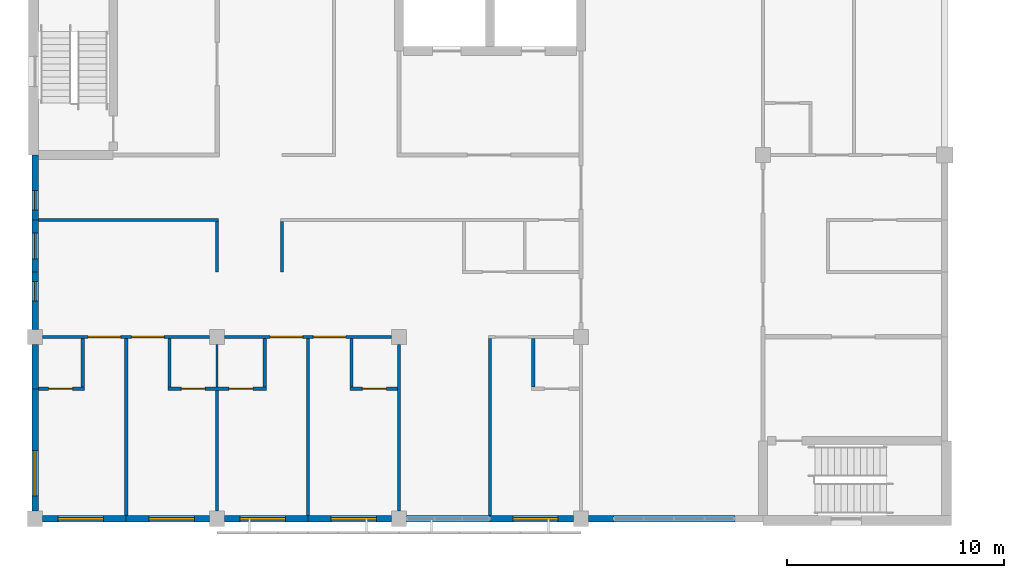
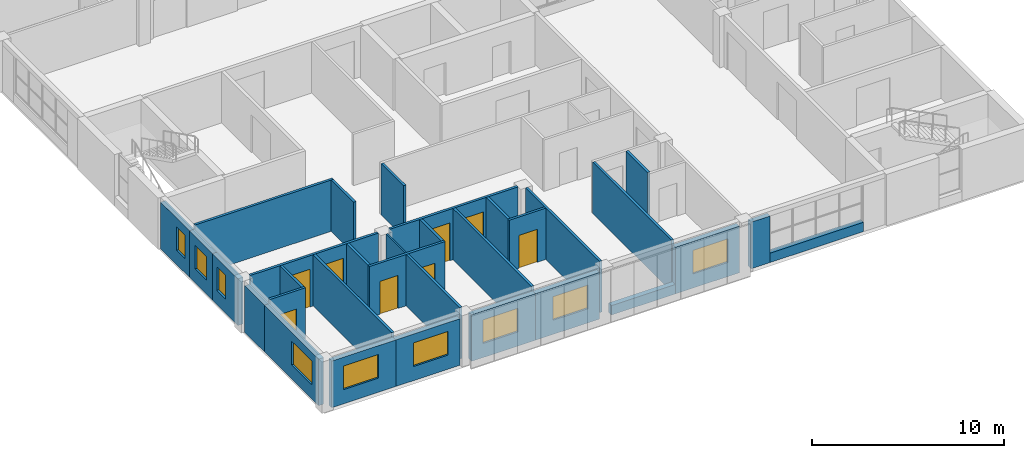
# One storey, part 24 of 46: 32 walls, 9 windows, 8 doors, 17 openings.
"""IFC4 building model written with IfcOpenShell, lengths in metres."""

from ifc_helpers import new_model, si_unit, direction, frame, frame_2d, origin, place, context, subcontext, project, spatial, rectangle, extrude, material, layer, layer_set, type_object, element, fill, save


model = new_model("IFC4")

# Units and contexts
model_context = context("Model", 3, precision=1e-05, world=origin(), true_north=direction((0.0, 1.0)))
body_context = subcontext(model_context, "Body", "Model", "MODEL_VIEW")
ifc_project = project(units=[si_unit("LENGTHUNIT", "METRE"), si_unit("AREAUNIT", "SQUARE_METRE"), si_unit("VOLUMEUNIT", "CUBIC_METRE"), si_unit("PLANEANGLEUNIT", "RADIAN"), si_unit("MASSUNIT", "GRAM", prefix="KILO")], contexts=[model_context])

# Site, building, storey
site_placement = place(None, origin())
site = spatial("IfcSite", under=ifc_project, at=site_placement, CompositionType="ELEMENT")
building_placement = place(site_placement, origin())
building = spatial("IfcBuilding", under=site, at=building_placement, Name="Yavir Park General Hospital", CompositionType="ELEMENT")
storey_placement = place(building_placement, frame((0.0, 0.0, 18.89990234375)))
storey = spatial("IfcBuildingStorey", under=building, at=storey_placement, Name="L04", CompositionType="ELEMENT", Elevation=18.89990234375)

# Wall
ifc_material_1 = material(Name="Gypsum board partition on steel studs", Category="steel")
ifc_layer_1 = layer(ifc_material_1, 0.10009765625)
ifc_layer_set_1 = layer_set([ifc_layer_1], Name="Gypsum board partition on steel studs")
wall_type_1 = type_object("IfcWallType", Name="Gypsum board partition 100", PredefinedType="PARTITIONING", material=ifc_layer_set_1)
wall_1_placement = place(storey_placement, frame((8.39990234375, 6.074951171875, 0.0), z_axis=(0.0, 0.0, 1.0), x_axis=(0.0, 1.0, 0.0)))
element("IfcWall", 1, at=wall_1_placement, inside=storey, type_object=wall_type_1, Name="P10 L04-163", PredefinedType="PARTITIONING", context=body_context, shape_type="SweptSolid", body=[
    extrude(rectangle(XDim=1.97509765625, YDim=0.10009765625, at=frame_2d((0.987548828125, 0.0))), origin(), (0.0, 0.0, 1.0), 3.260009765625),
])

# Wall, opening, door
ifc_material_2 = material(Name="Gypsum board partition on steel studs", Category="steel")
ifc_layer_2 = layer(ifc_material_2, 0.14990234375)
ifc_layer_set_2 = layer_set([ifc_layer_2], Name="Gypsum board partition on steel studs")
wall_type_2 = type_object("IfcWallType", Name="Gypsum board partition 150", PredefinedType="PARTITIONING", material=ifc_layer_set_2)
wall_2_placement = place(storey_placement, frame((0.14990234375, 6.0, 0.0), z_axis=(0.0, 0.0, 1.0), x_axis=(1.0, 0.0, 0.0)))
wall_2 = element("IfcWall", 2, at=wall_2_placement, inside=storey, type_object=wall_type_2, Name="P15 L04-004", PredefinedType="PARTITIONING", context=body_context, shape_type="SweptSolid", body=[
    extrude(rectangle(XDim=2.125, YDim=0.14990234375, at=frame_2d((1.0625, 0.0))), origin(), (0.0, 0.0, 1.0), 3.260009765625),
])
opening_1_placement = place(wall_2_placement, frame((0.47509765625, 0.0, 0.0)))
opening_1 = element("IfcOpeningElement", 3, at=opening_1_placement, cuts=wall_2, Name="Opening L04.D004", PredefinedType="OPENING", context=body_context, shape_type="SweptSolid", body=[
    extrude(rectangle(XDim=1.10009765625, YDim=2.10009765625, at=frame_2d((0.550048828125, 1.050048828125))), frame((0.0, 0.0849609375, 0.0), z_axis=(0.0, -1.0, 0.0), x_axis=(1.0, 0.0, 0.0)), (0.0, 0.0, 1.0), 0.169921875),
])
ifc_material_3 = material(Name="Hollow metal frame, solid-core timber leaf", Category="wood")
door_type_1 = type_object("IfcDoorType", Name="Single swing door 1100 x 2100", OperationType="SINGLE_SWING_LEFT", PredefinedType="DOOR", material=ifc_material_3)
door_1_placement = place(opening_1_placement, origin())
door_1 = element("IfcDoor", 4, at=door_1_placement, inside=storey, type_object=door_type_1, Name="L04.D004", OperationType="SINGLE_SWING_LEFT", OverallHeight=2.10009765625, OverallWidth=1.10009765625, PredefinedType="DOOR", context=body_context, shape_type="SweptSolid", body=[
    extrude(rectangle(XDim=1.10009765625, YDim=2.10009765625, at=frame_2d((0.550048828125, 1.050048828125))), frame((0.0, 0.02490234375, 0.0), z_axis=(0.0, -1.0, 0.0), x_axis=(1.0, 0.0, 0.0)), (0.0, 0.0, 1.0), 0.050048828125),
])
fill(opening_1, door_1)

# Wall, openings, doors
wall_3_placement = place(storey_placement, frame((6.125, 6.0, 0.0), z_axis=(0.0, 0.0, 1.0), x_axis=(1.0, 0.0, 0.0)))
wall_3 = element("IfcWall", 5, at=wall_3_placement, inside=storey, type_object=wall_type_2, Name="P15 L04-005", PredefinedType="PARTITIONING", context=body_context, shape_type="SweptSolid", body=[
    extrude(rectangle(XDim=4.550048828125, YDim=0.14990234375, at=frame_2d((2.27490234375, 0.0))), origin(), (0.0, 0.0, 1.0), 3.260009765625),
])
opening_2_placement = place(wall_3_placement, frame((0.625, 0.0, 0.0)))
opening_2 = element("IfcOpeningElement", 6, at=opening_2_placement, cuts=wall_3, Name="Opening L04.D005", PredefinedType="OPENING", context=body_context, shape_type="SweptSolid", body=[
    extrude(rectangle(XDim=1.10009765625, YDim=2.10009765625, at=frame_2d((0.550048828125, 1.050048828125))), frame((0.0, 0.0849609375, 0.0), z_axis=(0.0, -1.0, 0.0), x_axis=(1.0, 0.0, 0.0)), (0.0, 0.0, 1.0), 0.169921875),
])
opening_3_placement = place(wall_3_placement, frame((2.824951171875, 0.0, 0.0)))
opening_3 = element("IfcOpeningElement", 7, at=opening_3_placement, cuts=wall_3, Name="Opening L04.D006", PredefinedType="OPENING", context=body_context, shape_type="SweptSolid", body=[
    extrude(rectangle(XDim=1.10009765625, YDim=2.10009765625, at=frame_2d((0.550048828125, 1.050048828125))), frame((0.0, 0.0849609375, 0.0), z_axis=(0.0, -1.0, 0.0), x_axis=(1.0, 0.0, 0.0)), (0.0, 0.0, 1.0), 0.169921875),
])
door_2_placement = place(opening_2_placement, origin())
door_2 = element("IfcDoor", 8, at=door_2_placement, inside=storey, type_object=door_type_1, Name="L04.D005", OperationType="SINGLE_SWING_RIGHT", OverallHeight=2.10009765625, OverallWidth=1.10009765625, PredefinedType="DOOR", context=body_context, shape_type="SweptSolid", body=[
    extrude(rectangle(XDim=1.10009765625, YDim=2.10009765625, at=frame_2d((0.550048828125, 1.050048828125))), frame((0.0, 0.02490234375, 0.0), z_axis=(0.0, -1.0, 0.0), x_axis=(1.0, 0.0, 0.0)), (0.0, 0.0, 1.0), 0.050048828125),
])
fill(opening_2, door_2)
door_3_placement = place(opening_3_placement, origin())
door_3 = element("IfcDoor", 9, at=door_3_placement, inside=storey, type_object=door_type_1, Name="L04.D006", OperationType="SINGLE_SWING_LEFT", OverallHeight=2.10009765625, OverallWidth=1.10009765625, PredefinedType="DOOR", context=body_context, shape_type="SweptSolid", body=[
    extrude(rectangle(XDim=1.10009765625, YDim=2.10009765625, at=frame_2d((0.550048828125, 1.050048828125))), frame((0.0, 0.02490234375, 0.0), z_axis=(0.0, -1.0, 0.0), x_axis=(1.0, 0.0, 0.0)), (0.0, 0.0, 1.0), 0.050048828125),
])
fill(opening_3, door_3)

# Wall, opening, door
wall_4_placement = place(storey_placement, frame((14.52490234375, 6.0, 0.0), z_axis=(0.0, 0.0, 1.0), x_axis=(1.0, 0.0, 0.0)))
wall_4 = element("IfcWall", 10, at=wall_4_placement, inside=storey, type_object=wall_type_2, Name="P15 L04-006", PredefinedType="PARTITIONING", context=body_context, shape_type="SweptSolid", body=[
    extrude(rectangle(XDim=2.2001953125, YDim=0.14990234375, at=frame_2d((1.10009765625, 0.0))), origin(), (0.0, 0.0, 1.0), 3.260009765625),
])
opening_4_placement = place(wall_4_placement, frame((0.58740234375, 0.0, 0.0)))
opening_4 = element("IfcOpeningElement", 11, at=opening_4_placement, cuts=wall_4, Name="Opening L04.D007", PredefinedType="OPENING", context=body_context, shape_type="SweptSolid", body=[
    extrude(rectangle(XDim=1.10009765625, YDim=2.10009765625, at=frame_2d((0.550048828125, 1.050048828125))), frame((0.0, 0.0849609375, 0.0), z_axis=(0.0, -1.0, 0.0), x_axis=(1.0, 0.0, 0.0)), (0.0, 0.0, 1.0), 0.169921875),
])
door_4_placement = place(opening_4_placement, origin())
door_4 = element("IfcDoor", 12, at=door_4_placement, inside=storey, type_object=door_type_1, Name="L04.D007", OperationType="SINGLE_SWING_RIGHT", OverallHeight=2.10009765625, OverallWidth=1.10009765625, PredefinedType="DOOR", context=body_context, shape_type="SweptSolid", body=[
    extrude(rectangle(XDim=1.10009765625, YDim=2.10009765625, at=frame_2d((0.550048828125, 1.050048828125))), frame((0.0, 0.02490234375, 0.0), z_axis=(0.0, -1.0, 0.0), x_axis=(1.0, 0.0, 0.0)), (0.0, 0.0, 1.0), 0.050048828125),
])
fill(opening_4, door_4)

# Wall, openings, doors
wall_5_placement = place(storey_placement, frame((0.35009765625, 8.39990234375, 0.0), z_axis=(0.0, 0.0, 1.0), x_axis=(1.0, 0.0, 0.0)))
wall_5 = element("IfcWall", 13, at=wall_5_placement, inside=storey, type_object=wall_type_2, Name="P15 L04-014", PredefinedType="PARTITIONING", context=body_context, shape_type="SweptSolid", body=[
    extrude(rectangle(XDim=7.699951171875, YDim=0.14990234375, at=frame_2d((3.85009765625, 0.0))), origin(), (0.0, 0.0, 1.0), 3.260009765625),
])
opening_5_placement = place(wall_5_placement, frame((2.10009765625, 0.0, 0.0)))
opening_5 = element("IfcOpeningElement", 14, at=opening_5_placement, cuts=wall_5, Name="Opening L04.D017", PredefinedType="OPENING", context=body_context, shape_type="SweptSolid", body=[
    extrude(rectangle(XDim=1.5, YDim=2.39990234375, at=frame_2d((0.75, 1.199951171875))), frame((0.0, 0.0849609375, 0.0), z_axis=(0.0, -1.0, 0.0), x_axis=(1.0, 0.0, 0.0)), (0.0, 0.0, 1.0), 0.169921875),
])
opening_6_placement = place(wall_5_placement, frame((4.10009765625, 0.0, 0.0)))
opening_6 = element("IfcOpeningElement", 15, at=opening_6_placement, cuts=wall_5, Name="Opening L04.D018", PredefinedType="OPENING", context=body_context, shape_type="SweptSolid", body=[
    extrude(rectangle(XDim=1.5, YDim=2.39990234375, at=frame_2d((0.75, 1.199951171875))), frame((0.0, 0.0849609375, 0.0), z_axis=(0.0, -1.0, 0.0), x_axis=(1.0, 0.0, 0.0)), (0.0, 0.0, 1.0), 0.169921875),
])
ifc_material_4 = material(Name="Solid-core timber leaves, push plates, kick plates", Category="wood")
door_type_2 = type_object("IfcDoorType", Name="Bed door, unequal leaves 1500 x 2400", OperationType="DOUBLE_DOOR_SINGLE_SWING", PredefinedType="DOOR", material=ifc_material_4)
door_5_placement = place(opening_5_placement, origin())
door_5 = element("IfcDoor", 16, at=door_5_placement, inside=storey, type_object=door_type_2, Name="L04.D017", OperationType="SINGLE_SWING_LEFT", OverallHeight=2.39990234375, OverallWidth=1.5, PredefinedType="DOOR", context=body_context, shape_type="SweptSolid", body=[
    extrude(rectangle(XDim=1.5, YDim=2.39990234375, at=frame_2d((0.75, 1.199951171875))), frame((0.0, 0.030029296875, 0.0), z_axis=(0.0, -1.0, 0.0), x_axis=(1.0, 0.0, 0.0)), (0.0, 0.0, 1.0), 0.06005859375),
])
fill(opening_5, door_5)
door_6_placement = place(opening_6_placement, origin())
door_6 = element("IfcDoor", 17, at=door_6_placement, inside=storey, type_object=door_type_2, Name="L04.D018", OperationType="SINGLE_SWING_LEFT", OverallHeight=2.39990234375, OverallWidth=1.5, PredefinedType="DOOR", context=body_context, shape_type="SweptSolid", body=[
    extrude(rectangle(XDim=1.5, YDim=2.39990234375, at=frame_2d((0.75, 1.199951171875))), frame((0.0, 0.030029296875, 0.0), z_axis=(0.0, -1.0, 0.0), x_axis=(1.0, 0.0, 0.0)), (0.0, 0.0, 1.0), 0.06005859375),
])
fill(opening_6, door_6)

wall_6_placement = place(storey_placement, frame((8.75, 8.39990234375, 0.0), z_axis=(0.0, 0.0, 1.0), x_axis=(1.0, 0.0, 0.0)))
wall_6 = element("IfcWall", 18, at=wall_6_placement, inside=storey, type_object=wall_type_2, Name="P15 L04-015", PredefinedType="PARTITIONING", context=body_context, shape_type="SweptSolid", body=[
    extrude(rectangle(XDim=7.699951171875, YDim=0.14990234375, at=frame_2d((3.85009765625, 0.0))), origin(), (0.0, 0.0, 1.0), 3.260009765625),
])
opening_7_placement = place(wall_6_placement, frame((2.10009765625, 0.0, 0.0)))
opening_7 = element("IfcOpeningElement", 19, at=opening_7_placement, cuts=wall_6, Name="Opening L04.D019", PredefinedType="OPENING", context=body_context, shape_type="SweptSolid", body=[
    extrude(rectangle(XDim=1.5, YDim=2.39990234375, at=frame_2d((0.75, 1.199951171875))), frame((0.0, 0.0849609375, 0.0), z_axis=(0.0, -1.0, 0.0), x_axis=(1.0, 0.0, 0.0)), (0.0, 0.0, 1.0), 0.169921875),
])
opening_8_placement = place(wall_6_placement, frame((4.10009765625, 0.0, 0.0)))
opening_8 = element("IfcOpeningElement", 20, at=opening_8_placement, cuts=wall_6, Name="Opening L04.D020", PredefinedType="OPENING", context=body_context, shape_type="SweptSolid", body=[
    extrude(rectangle(XDim=1.5, YDim=2.39990234375, at=frame_2d((0.75, 1.199951171875))), frame((0.0, 0.0849609375, 0.0), z_axis=(0.0, -1.0, 0.0), x_axis=(1.0, 0.0, 0.0)), (0.0, 0.0, 1.0), 0.169921875),
])
door_7_placement = place(opening_7_placement, origin())
door_7 = element("IfcDoor", 21, at=door_7_placement, inside=storey, type_object=door_type_2, Name="L04.D019", OperationType="SINGLE_SWING_LEFT", OverallHeight=2.39990234375, OverallWidth=1.5, PredefinedType="DOOR", context=body_context, shape_type="SweptSolid", body=[
    extrude(rectangle(XDim=1.5, YDim=2.39990234375, at=frame_2d((0.75, 1.199951171875))), frame((0.0, 0.030029296875, 0.0), z_axis=(0.0, -1.0, 0.0), x_axis=(1.0, 0.0, 0.0)), (0.0, 0.0, 1.0), 0.06005859375),
])
fill(opening_7, door_7)
door_8_placement = place(opening_8_placement, origin())
door_8 = element("IfcDoor", 22, at=door_8_placement, inside=storey, type_object=door_type_2, Name="L04.D020", OperationType="SINGLE_SWING_LEFT", OverallHeight=2.39990234375, OverallWidth=1.5, PredefinedType="DOOR", context=body_context, shape_type="SweptSolid", body=[
    extrude(rectangle(XDim=1.5, YDim=2.39990234375, at=frame_2d((0.75, 1.199951171875))), frame((0.0, 0.030029296875, 0.0), z_axis=(0.0, -1.0, 0.0), x_axis=(1.0, 0.0, 0.0)), (0.0, 0.0, 1.0), 0.06005859375),
])
fill(opening_8, door_8)

# Walls
wall_7_placement = place(storey_placement, frame((0.14990234375, 13.800048828125, 0.0), z_axis=(0.0, 0.0, 1.0), x_axis=(1.0, 0.0, 0.0)))
element("IfcWall", 23, at=wall_7_placement, inside=storey, type_object=wall_type_2, Name="P15 L04-028", PredefinedType="PARTITIONING", context=body_context, shape_type="SweptSolid", body=[
    extrude(rectangle(XDim=8.3251953125, YDim=0.14990234375, at=frame_2d((4.16259765625, 0.0))), origin(), (0.0, 0.0, 1.0), 3.260009765625),
])
wall_8_placement = place(storey_placement, frame((2.199951171875, 6.074951171875, 0.0), z_axis=(0.0, 0.0, 1.0), x_axis=(0.0, 1.0, 0.0)))
element("IfcWall", 24, at=wall_8_placement, inside=storey, type_object=wall_type_2, Name="P15 L04-143", PredefinedType="PARTITIONING", context=body_context, shape_type="SweptSolid", body=[
    extrude(rectangle(XDim=2.25, YDim=0.14990234375, at=frame_2d((1.125, 0.0))), origin(), (0.0, 0.0, 1.0), 3.260009765625),
])
wall_9_placement = place(storey_placement, frame((4.199951171875, 0.14990234375, 0.0), z_axis=(0.0, 0.0, 1.0), x_axis=(0.0, 1.0, 0.0)))
element("IfcWall", 25, at=wall_9_placement, inside=storey, type_object=wall_type_2, Name="P15 L04-146", PredefinedType="PARTITIONING", context=body_context, shape_type="SweptSolid", body=[
    extrude(rectangle(XDim=8.175048828125, YDim=0.14990234375, at=frame_2d((4.08740234375, 0.0))), origin(), (0.0, 0.0, 1.0), 3.260009765625),
])
wall_10_placement = place(storey_placement, frame((6.199951171875, 6.074951171875, 0.0), z_axis=(0.0, 0.0, 1.0), x_axis=(0.0, 1.0, 0.0)))
element("IfcWall", 26, at=wall_10_placement, inside=storey, type_object=wall_type_2, Name="P15 L04-161", PredefinedType="PARTITIONING", context=body_context, shape_type="SweptSolid", body=[
    extrude(rectangle(XDim=2.25, YDim=0.14990234375, at=frame_2d((1.125, 0.0))), origin(), (0.0, 0.0, 1.0), 3.260009765625),
])
wall_11_placement = place(storey_placement, frame((8.39990234375, 0.35009765625, 0.0), z_axis=(0.0, 0.0, 1.0), x_axis=(0.0, 1.0, 0.0)))
element("IfcWall", 27, at=wall_11_placement, inside=storey, type_object=wall_type_2, Name="P15 L04-162", PredefinedType="PARTITIONING", context=body_context, shape_type="SweptSolid", body=[
    extrude(rectangle(XDim=5.574951171875, YDim=0.14990234375, at=frame_2d((2.78759765625, 0.0))), origin(), (0.0, 0.0, 1.0), 3.260009765625),
])
wall_12_placement = place(storey_placement, frame((8.39990234375, 11.39990234375, 0.0), z_axis=(0.0, 0.0, 1.0), x_axis=(0.0, 1.0, 0.0)))
element("IfcWall", 28, at=wall_12_placement, inside=storey, type_object=wall_type_2, Name="P15 L04-164", PredefinedType="PARTITIONING", context=body_context, shape_type="SweptSolid", body=[
    extrude(rectangle(XDim=2.3251953125, YDim=0.14990234375, at=frame_2d((1.16259765625, 0.0))), origin(), (0.0, 0.0, 1.0), 3.260009765625),
])
wall_13_placement = place(storey_placement, frame((10.60009765625, 6.074951171875, 0.0), z_axis=(0.0, 0.0, 1.0), x_axis=(0.0, 1.0, 0.0)))
element("IfcWall", 29, at=wall_13_placement, inside=storey, type_object=wall_type_2, Name="P15 L04-175", PredefinedType="PARTITIONING", context=body_context, shape_type="SweptSolid", body=[
    extrude(rectangle(XDim=2.25, YDim=0.14990234375, at=frame_2d((1.125, 0.0))), origin(), (0.0, 0.0, 1.0), 3.260009765625),
])
wall_14_placement = place(storey_placement, frame((11.39990234375, 11.39990234375, 0.0), z_axis=(0.0, 0.0, 1.0), x_axis=(0.0, 1.0, 0.0)))
element("IfcWall", 30, at=wall_14_placement, inside=storey, type_object=wall_type_2, Name="P15 L04-176", PredefinedType="PARTITIONING", context=body_context, shape_type="SweptSolid", body=[
    extrude(rectangle(XDim=2.3251953125, YDim=0.14990234375, at=frame_2d((1.16259765625, 0.0))), origin(), (0.0, 0.0, 1.0), 3.260009765625),
])
wall_15_placement = place(storey_placement, frame((12.60009765625, 0.14990234375, 0.0), z_axis=(0.0, 0.0, 1.0), x_axis=(0.0, 1.0, 0.0)))
element("IfcWall", 31, at=wall_15_placement, inside=storey, type_object=wall_type_2, Name="P15 L04-180", PredefinedType="PARTITIONING", context=body_context, shape_type="SweptSolid", body=[
    extrude(rectangle(XDim=8.175048828125, YDim=0.14990234375, at=frame_2d((4.08740234375, 0.0))), origin(), (0.0, 0.0, 1.0), 3.260009765625),
])
wall_16_placement = place(storey_placement, frame((14.60009765625, 6.074951171875, 0.0), z_axis=(0.0, 0.0, 1.0), x_axis=(0.0, 1.0, 0.0)))
element("IfcWall", 32, at=wall_16_placement, inside=storey, type_object=wall_type_2, Name="P15 L04-185", PredefinedType="PARTITIONING", context=body_context, shape_type="SweptSolid", body=[
    extrude(rectangle(XDim=2.25, YDim=0.14990234375, at=frame_2d((1.125, 0.0))), origin(), (0.0, 0.0, 1.0), 3.260009765625),
])
wall_17_placement = place(storey_placement, frame((16.800048828125, 0.35009765625, 0.0), z_axis=(0.0, 0.0, 1.0), x_axis=(0.0, 1.0, 0.0)))
element("IfcWall", 33, at=wall_17_placement, inside=storey, type_object=wall_type_2, Name="P15 L04-186", PredefinedType="PARTITIONING", context=body_context, shape_type="SweptSolid", body=[
    extrude(rectangle(XDim=7.699951171875, YDim=0.14990234375, at=frame_2d((3.85009765625, 0.0))), origin(), (0.0, 0.0, 1.0), 3.260009765625),
])
wall_18_placement = place(storey_placement, frame((21.0, 0.14990234375, 0.0), z_axis=(0.0, 0.0, 1.0), x_axis=(0.0, 1.0, 0.0)))
element("IfcWall", 34, at=wall_18_placement, inside=storey, type_object=wall_type_2, Name="P15 L04-209", PredefinedType="PARTITIONING", context=body_context, shape_type="SweptSolid", body=[
    extrude(rectangle(XDim=8.175048828125, YDim=0.14990234375, at=frame_2d((4.08740234375, 0.0))), origin(), (0.0, 0.0, 1.0), 3.260009765625),
])
wall_19_placement = place(storey_placement, frame((23.0, 6.074951171875, 0.0), z_axis=(0.0, 0.0, 1.0), x_axis=(0.0, 1.0, 0.0)))
element("IfcWall", 35, at=wall_19_placement, inside=storey, type_object=wall_type_2, Name="P15 L04-215", PredefinedType="PARTITIONING", context=body_context, shape_type="SweptSolid", body=[
    extrude(rectangle(XDim=2.25, YDim=0.14990234375, at=frame_2d((1.125, 0.0))), origin(), (0.0, 0.0, 1.0), 3.260009765625),
])

# Wall, opening, window
ifc_material_5 = material(Name="Autoclaved aerated block, mineral wool and ochre mineral render")
ifc_layer_3 = layer(ifc_material_5, 0.300048828125)
ifc_layer_set_3 = layer_set([ifc_layer_3], Name="Autoclaved aerated block, mineral wool and ochre mineral render")
wall_type_3 = type_object("IfcWallType", Name="Ochre render ward wall 300, E 30", PredefinedType="SOLIDWALL", material=ifc_layer_set_3)
wall_20_placement = place(storey_placement, frame((0.35009765625, 0.0, 0.0), z_axis=(0.0, 0.0, 1.0), x_axis=(1.0, 0.0, 0.0)))
wall_20 = element("IfcWall", 36, at=wall_20_placement, inside=storey, type_object=wall_type_3, Name="XW7 L04-001", PredefinedType="SOLIDWALL", context=body_context, shape_type="SweptSolid", body=[
    extrude(rectangle(XDim=3.849853515625, YDim=0.300048828125, at=frame_2d((1.9248046875, 0.0))), origin(), (0.0, 0.0, 1.0), 2.960205078125),
])
opening_9_placement = place(wall_20_placement, frame((0.699951171875, 0.0, 0.89990234375)))
opening_9 = element("IfcOpeningElement", 37, at=opening_9_placement, cuts=wall_20, Name="Opening WAR", PredefinedType="OPENING", context=body_context, shape_type="SweptSolid", body=[
    extrude(rectangle(XDim=2.10009765625, YDim=1.5, at=frame_2d((1.050048828125, 0.75))), frame((0.0, 0.159912109375, 0.0), z_axis=(0.0, -1.0, 0.0), x_axis=(1.0, 0.0, 0.0)), (0.0, 0.0, 1.0), 0.320068359375),
])
ifc_material_6 = material(Name="Aluminium frame, tilt-and-turn sash with opening restrictor, double glazed unit", Category="aluminium")
window_type_1 = type_object("IfcWindowType", Name="Ward window, restricted opening 2100 x 1500", PartitioningType="DOUBLE_PANEL_VERTICAL", PredefinedType="WINDOW", material=ifc_material_6)
window_1_placement = place(opening_9_placement, origin())
window_1 = element("IfcWindow", 38, at=window_1_placement, inside=storey, type_object=window_type_1, Name="WAR L04-001", OverallHeight=1.5, OverallWidth=2.10009765625, PartitioningType="DOUBLE_PANEL_VERTICAL", PredefinedType="WINDOW", context=body_context, shape_type="SweptSolid", body=[
    extrude(rectangle(XDim=2.10009765625, YDim=1.5, at=frame_2d((1.050048828125, 0.75))), frame((0.0, 0.050048828125, 0.0), z_axis=(0.0, -1.0, 0.0), x_axis=(1.0, 0.0, 0.0)), (0.0, 0.0, 1.0), 0.10009765625),
])
fill(opening_9, window_1)

wall_21_placement = place(storey_placement, frame((4.199951171875, 0.0, 0.0), z_axis=(0.0, 0.0, 1.0), x_axis=(1.0, 0.0, 0.0)))
wall_21 = element("IfcWall", 39, at=wall_21_placement, inside=storey, type_object=wall_type_3, Name="XW7 L04-002", PredefinedType="SOLIDWALL", context=body_context, shape_type="SweptSolid", body=[
    extrude(rectangle(XDim=3.85009765625, YDim=0.300048828125, at=frame_2d((1.925048828125, 0.0))), origin(), (0.0, 0.0, 1.0), 2.960205078125),
])
opening_10_placement = place(wall_21_placement, frame((1.050048828125, 0.0, 0.89990234375)))
opening_10 = element("IfcOpeningElement", 40, at=opening_10_placement, cuts=wall_21, Name="Opening WAR", PredefinedType="OPENING", context=body_context, shape_type="SweptSolid", body=[
    extrude(rectangle(XDim=2.10009765625, YDim=1.5, at=frame_2d((1.050048828125, 0.75))), frame((0.0, 0.159912109375, 0.0), z_axis=(0.0, -1.0, 0.0), x_axis=(1.0, 0.0, 0.0)), (0.0, 0.0, 1.0), 0.320068359375),
])
window_2_placement = place(opening_10_placement, origin())
window_2 = element("IfcWindow", 41, at=window_2_placement, inside=storey, type_object=window_type_1, Name="WAR L04-002", OverallHeight=1.5, OverallWidth=2.10009765625, PartitioningType="DOUBLE_PANEL_VERTICAL", PredefinedType="WINDOW", context=body_context, shape_type="SweptSolid", body=[
    extrude(rectangle(XDim=2.10009765625, YDim=1.5, at=frame_2d((1.050048828125, 0.75))), frame((0.0, 0.050048828125, 0.0), z_axis=(0.0, -1.0, 0.0), x_axis=(1.0, 0.0, 0.0)), (0.0, 0.0, 1.0), 0.10009765625),
])
fill(opening_10, window_2)

wall_22_placement = place(storey_placement, frame((8.75, 0.0, 0.0), z_axis=(0.0, 0.0, 1.0), x_axis=(1.0, 0.0, 0.0)))
wall_22 = element("IfcWall", 42, at=wall_22_placement, inside=storey, type_object=wall_type_3, Name="XW7 L04-003", PredefinedType="SOLIDWALL", context=body_context, shape_type="SweptSolid", body=[
    extrude(rectangle(XDim=3.85009765625, YDim=0.300048828125, at=frame_2d((1.925048828125, 0.0))), origin(), (0.0, 0.0, 1.0), 2.960205078125),
])
opening_11_placement = place(wall_22_placement, frame((0.699951171875, 0.0, 0.89990234375)))
opening_11 = element("IfcOpeningElement", 43, at=opening_11_placement, cuts=wall_22, Name="Opening WAR", PredefinedType="OPENING", context=body_context, shape_type="SweptSolid", body=[
    extrude(rectangle(XDim=2.10009765625, YDim=1.5, at=frame_2d((1.050048828125, 0.75))), frame((0.0, 0.159912109375, 0.0), z_axis=(0.0, -1.0, 0.0), x_axis=(1.0, 0.0, 0.0)), (0.0, 0.0, 1.0), 0.320068359375),
])
window_3_placement = place(opening_11_placement, origin())
window_3 = element("IfcWindow", 44, at=window_3_placement, inside=storey, type_object=window_type_1, Name="WAR L04-003", OverallHeight=1.5, OverallWidth=2.10009765625, PartitioningType="DOUBLE_PANEL_VERTICAL", PredefinedType="WINDOW", context=body_context, shape_type="SweptSolid", body=[
    extrude(rectangle(XDim=2.10009765625, YDim=1.5, at=frame_2d((1.050048828125, 0.75))), frame((0.0, 0.050048828125, 0.0), z_axis=(0.0, -1.0, 0.0), x_axis=(1.0, 0.0, 0.0)), (0.0, 0.0, 1.0), 0.10009765625),
])
fill(opening_11, window_3)

wall_23_placement = place(storey_placement, frame((12.60009765625, 0.0, 0.0), z_axis=(0.0, 0.0, 1.0), x_axis=(1.0, 0.0, 0.0)))
wall_23 = element("IfcWall", 45, at=wall_23_placement, inside=storey, type_object=wall_type_3, Name="XW7 L04-004", PredefinedType="SOLIDWALL", context=body_context, shape_type="SweptSolid", body=[
    extrude(rectangle(XDim=3.849853515625, YDim=0.300048828125, at=frame_2d((1.9248046875, 0.0))), origin(), (0.0, 0.0, 1.0), 2.960205078125),
])
opening_12_placement = place(wall_23_placement, frame((1.050048828125, 0.0, 0.89990234375)))
opening_12 = element("IfcOpeningElement", 46, at=opening_12_placement, cuts=wall_23, Name="Opening WAR", PredefinedType="OPENING", context=body_context, shape_type="SweptSolid", body=[
    extrude(rectangle(XDim=2.10009765625, YDim=1.5, at=frame_2d((1.050048828125, 0.75))), frame((0.0, 0.159912109375, 0.0), z_axis=(0.0, -1.0, 0.0), x_axis=(1.0, 0.0, 0.0)), (0.0, 0.0, 1.0), 0.320068359375),
])
window_4_placement = place(opening_12_placement, origin())
window_4 = element("IfcWindow", 47, at=window_4_placement, inside=storey, type_object=window_type_1, Name="WAR L04-004", OverallHeight=1.5, OverallWidth=2.10009765625, PartitioningType="DOUBLE_PANEL_VERTICAL", PredefinedType="WINDOW", context=body_context, shape_type="SweptSolid", body=[
    extrude(rectangle(XDim=2.10009765625, YDim=1.5, at=frame_2d((1.050048828125, 0.75))), frame((0.0, 0.050048828125, 0.0), z_axis=(0.0, -1.0, 0.0), x_axis=(1.0, 0.0, 0.0)), (0.0, 0.0, 1.0), 0.10009765625),
])
fill(opening_12, window_4)

# Wall
wall_24_placement = place(storey_placement, frame((17.14990234375, 0.0, 0.0), z_axis=(0.0, 0.0, 1.0), x_axis=(1.0, 0.0, 0.0)))
element("IfcWall", 48, at=wall_24_placement, inside=storey, type_object=wall_type_3, Name="XW7 L04-005", PredefinedType="SOLIDWALL", context=body_context, shape_type="SweptSolid", body=[
    extrude(rectangle(XDim=3.85009765625, YDim=0.300048828125, at=frame_2d((1.925048828125, 0.0))), origin(), (0.0, 0.0, 1.0), 0.60009765625),
])

# Wall, opening, window
wall_25_placement = place(storey_placement, frame((21.0, 0.0, 0.0), z_axis=(0.0, 0.0, 1.0), x_axis=(1.0, 0.0, 0.0)))
wall_25 = element("IfcWall", 49, at=wall_25_placement, inside=storey, type_object=wall_type_3, Name="XW7 L04-006", PredefinedType="SOLIDWALL", context=body_context, shape_type="SweptSolid", body=[
    extrude(rectangle(XDim=3.85009765625, YDim=0.300048828125, at=frame_2d((1.925048828125, 0.0))), origin(), (0.0, 0.0, 1.0), 2.960205078125),
])
opening_13_placement = place(wall_25_placement, frame((1.050048828125, 0.0, 0.89990234375)))
opening_13 = element("IfcOpeningElement", 50, at=opening_13_placement, cuts=wall_25, Name="Opening WAR", PredefinedType="OPENING", context=body_context, shape_type="SweptSolid", body=[
    extrude(rectangle(XDim=2.10009765625, YDim=1.5, at=frame_2d((1.050048828125, 0.75))), frame((0.0, 0.159912109375, 0.0), z_axis=(0.0, -1.0, 0.0), x_axis=(1.0, 0.0, 0.0)), (0.0, 0.0, 1.0), 0.320068359375),
])
window_5_placement = place(opening_13_placement, origin())
window_5 = element("IfcWindow", 51, at=window_5_placement, inside=storey, type_object=window_type_1, Name="WAR L04-005", OverallHeight=1.5, OverallWidth=2.10009765625, PartitioningType="DOUBLE_PANEL_VERTICAL", PredefinedType="WINDOW", context=body_context, shape_type="SweptSolid", body=[
    extrude(rectangle(XDim=2.10009765625, YDim=1.5, at=frame_2d((1.050048828125, 0.75))), frame((0.0, 0.050048828125, 0.0), z_axis=(0.0, -1.0, 0.0), x_axis=(1.0, 0.0, 0.0)), (0.0, 0.0, 1.0), 0.10009765625),
])
fill(opening_13, window_5)

# Walls
wall_26_placement = place(storey_placement, frame((25.550048828125, 0.0, 0.0), z_axis=(0.0, 0.0, 1.0), x_axis=(1.0, 0.0, 0.0)))
element("IfcWall", 52, at=wall_26_placement, inside=storey, type_object=wall_type_3, Name="XW7 L04-007", PredefinedType="SOLIDWALL", context=body_context, shape_type="SweptSolid", body=[
    extrude(rectangle(XDim=1.14990234375, YDim=0.300048828125, at=frame_2d((0.574951171875, 0.0))), origin(), (0.0, 0.0, 1.0), 2.960205078125),
])
wall_27_placement = place(storey_placement, frame((26.699951171875, 0.0, 0.0), z_axis=(0.0, 0.0, 1.0), x_axis=(1.0, 0.0, 0.0)))
element("IfcWall", 53, at=wall_27_placement, inside=storey, type_object=wall_type_3, Name="XW7 L04-009", PredefinedType="SOLIDWALL", context=body_context, shape_type="SweptSolid", body=[
    extrude(rectangle(XDim=5.60009765625, YDim=0.300048828125, at=frame_2d((2.800048828125, 0.0))), origin(), (0.0, 0.0, 1.0), 0.60009765625),
])

# Wall, opening, window
wall_28_placement = place(storey_placement, frame((0.0, 0.35009765625, 0.0), z_axis=(0.0, 0.0, 1.0), x_axis=(0.0, 1.0, 0.0)))
wall_28 = element("IfcWall", 54, at=wall_28_placement, inside=storey, type_object=wall_type_3, Name="XW7 L04-070", PredefinedType="SOLIDWALL", context=body_context, shape_type="SweptSolid", body=[
    extrude(rectangle(XDim=5.64990234375, YDim=0.300048828125, at=frame_2d((2.824951171875, 0.0))), origin(), (0.0, 0.0, 1.0), 2.960205078125),
])
opening_14_placement = place(wall_28_placement, frame((0.699951171875, 0.0, 0.89990234375)))
opening_14 = element("IfcOpeningElement", 55, at=opening_14_placement, cuts=wall_28, Name="Opening WAR", PredefinedType="OPENING", context=body_context, shape_type="SweptSolid", body=[
    extrude(rectangle(XDim=2.10009765625, YDim=1.5, at=frame_2d((1.050048828125, 0.75))), frame((0.0, 0.159912109375, 0.0), z_axis=(0.0, -1.0, 0.0), x_axis=(1.0, 0.0, 0.0)), (0.0, 0.0, 1.0), 0.320068359375),
])
window_6_placement = place(opening_14_placement, origin())
window_6 = element("IfcWindow", 56, at=window_6_placement, inside=storey, type_object=window_type_1, Name="WAR L04-022", OverallHeight=1.5, OverallWidth=2.10009765625, PartitioningType="DOUBLE_PANEL_VERTICAL", PredefinedType="WINDOW", context=body_context, shape_type="SweptSolid", body=[
    extrude(rectangle(XDim=2.10009765625, YDim=1.5, at=frame_2d((1.050048828125, 0.75))), frame((0.0, 0.050048828125, 0.0), z_axis=(0.0, -1.0, 0.0), x_axis=(1.0, 0.0, 0.0)), (0.0, 0.0, 1.0), 0.10009765625),
])
fill(opening_14, window_6)

# Wall
wall_29_placement = place(storey_placement, frame((0.0, 6.0, 0.0), z_axis=(0.0, 0.0, 1.0), x_axis=(0.0, 1.0, 0.0)))
element("IfcWall", 57, at=wall_29_placement, inside=storey, type_object=wall_type_3, Name="XW7 L04-071", PredefinedType="SOLIDWALL", context=body_context, shape_type="SweptSolid", body=[
    extrude(rectangle(XDim=2.050048828125, YDim=0.300048828125, at=frame_2d((1.02490234375, 0.0))), origin(), (0.0, 0.0, 1.0), 2.960205078125),
])

# Wall, opening, window
wall_30_placement = place(storey_placement, frame((0.0, 8.75, 0.0), z_axis=(0.0, 0.0, 1.0), x_axis=(0.0, 1.0, 0.0)))
wall_30 = element("IfcWall", 58, at=wall_30_placement, inside=storey, type_object=wall_type_3, Name="XW7 L04-072", PredefinedType="SOLIDWALL", context=body_context, shape_type="SweptSolid", body=[
    extrude(rectangle(XDim=2.64990234375, YDim=0.300048828125, at=frame_2d((1.324951171875, 0.0))), origin(), (0.0, 0.0, 1.0), 2.960205078125),
])
opening_15_placement = place(wall_30_placement, frame((1.300048828125, 0.0, 0.89990234375)))
opening_15 = element("IfcOpeningElement", 59, at=opening_15_placement, cuts=wall_30, Name="Opening WH", PredefinedType="OPENING", context=body_context, shape_type="SweptSolid", body=[
    extrude(rectangle(XDim=0.89990234375, YDim=1.5, at=frame_2d((0.449951171875, 0.75))), frame((0.0, 0.159912109375, 0.0), z_axis=(0.0, -1.0, 0.0), x_axis=(1.0, 0.0, 0.0)), (0.0, 0.0, 1.0), 0.320068359375),
])
ifc_material_7 = material(Name="Aluminium frame, double glazed unit", Category="aluminium")
window_type_2 = type_object("IfcWindowType", Name="Narrow window 900 x 1500", PartitioningType="SINGLE_PANEL", PredefinedType="WINDOW", material=ifc_material_7)
window_7_placement = place(opening_15_placement, origin())
window_7 = element("IfcWindow", 60, at=window_7_placement, inside=storey, type_object=window_type_2, Name="WH L04-023", OverallHeight=1.5, OverallWidth=0.89990234375, PartitioningType="SINGLE_PANEL", PredefinedType="WINDOW", context=body_context, shape_type="SweptSolid", body=[
    extrude(rectangle(XDim=0.89990234375, YDim=1.5, at=frame_2d((0.449951171875, 0.75))), frame((0.0, 0.030029296875, 0.0), z_axis=(0.0, -1.0, 0.0), x_axis=(1.0, 0.0, 0.0)), (0.0, 0.0, 1.0), 0.06005859375),
])
fill(opening_15, window_7)

wall_31_placement = place(storey_placement, frame((0.0, 11.39990234375, 0.0), z_axis=(0.0, 0.0, 1.0), x_axis=(0.0, 1.0, 0.0)))
wall_31 = element("IfcWall", 61, at=wall_31_placement, inside=storey, type_object=wall_type_3, Name="XW7 L04-073", PredefinedType="SOLIDWALL", context=body_context, shape_type="SweptSolid", body=[
    extrude(rectangle(XDim=2.400146484375, YDim=0.300048828125, at=frame_2d((1.2001953125, 0.0))), origin(), (0.0, 0.0, 1.0), 2.960205078125),
])
opening_16_placement = place(wall_31_placement, frame((0.60009765625, 0.0, 0.89990234375)))
opening_16 = element("IfcOpeningElement", 62, at=opening_16_placement, cuts=wall_31, Name="Opening WD", PredefinedType="OPENING", context=body_context, shape_type="SweptSolid", body=[
    extrude(rectangle(XDim=1.199951171875, YDim=1.5, at=frame_2d((0.60009765625, 0.75))), frame((0.0, 0.159912109375, 0.0), z_axis=(0.0, -1.0, 0.0), x_axis=(1.0, 0.0, 0.0)), (0.0, 0.0, 1.0), 0.320068359375),
])
ifc_material_8 = material(Name="Aluminium frame, double glazed unit", Category="aluminium")
window_type_3 = type_object("IfcWindowType", Name="Office window 1200 x 1500", PartitioningType="SINGLE_PANEL", PredefinedType="WINDOW", material=ifc_material_8)
window_8_placement = place(opening_16_placement, origin())
window_8 = element("IfcWindow", 63, at=window_8_placement, inside=storey, type_object=window_type_3, Name="WD L04-024", OverallHeight=1.5, OverallWidth=1.199951171875, PartitioningType="SINGLE_PANEL", PredefinedType="WINDOW", context=body_context, shape_type="SweptSolid", body=[
    extrude(rectangle(XDim=1.199951171875, YDim=1.5, at=frame_2d((0.60009765625, 0.75))), frame((0.0, 0.030029296875, 0.0), z_axis=(0.0, -1.0, 0.0), x_axis=(1.0, 0.0, 0.0)), (0.0, 0.0, 1.0), 0.06005859375),
])
fill(opening_16, window_8)

wall_32_placement = place(storey_placement, frame((0.0, 13.800048828125, 0.0), z_axis=(0.0, 0.0, 1.0), x_axis=(0.0, 1.0, 0.0)))
wall_32 = element("IfcWall", 64, at=wall_32_placement, inside=storey, type_object=wall_type_3, Name="XW7 L04-074", PredefinedType="SOLIDWALL", context=body_context, shape_type="SweptSolid", body=[
    extrude(rectangle(XDim=3.0, YDim=0.300048828125, at=frame_2d((1.5, 0.0))), origin(), (0.0, 0.0, 1.0), 2.960205078125),
])
opening_17_placement = place(wall_32_placement, frame((0.449951171875, 0.0, 0.89990234375)))
opening_17 = element("IfcOpeningElement", 65, at=opening_17_placement, cuts=wall_32, Name="Opening WH", PredefinedType="OPENING", context=body_context, shape_type="SweptSolid", body=[
    extrude(rectangle(XDim=0.89990234375, YDim=1.5, at=frame_2d((0.449951171875, 0.75))), frame((0.0, 0.159912109375, 0.0), z_axis=(0.0, -1.0, 0.0), x_axis=(1.0, 0.0, 0.0)), (0.0, 0.0, 1.0), 0.320068359375),
])
window_9_placement = place(opening_17_placement, origin())
window_9 = element("IfcWindow", 66, at=window_9_placement, inside=storey, type_object=window_type_2, Name="WH L04-025", OverallHeight=1.5, OverallWidth=0.89990234375, PartitioningType="SINGLE_PANEL", PredefinedType="WINDOW", context=body_context, shape_type="SweptSolid", body=[
    extrude(rectangle(XDim=0.89990234375, YDim=1.5, at=frame_2d((0.449951171875, 0.75))), frame((0.0, 0.030029296875, 0.0), z_axis=(0.0, -1.0, 0.0), x_axis=(1.0, 0.0, 0.0)), (0.0, 0.0, 1.0), 0.06005859375),
])
fill(opening_17, window_9)

save(model, "model.ifc")
